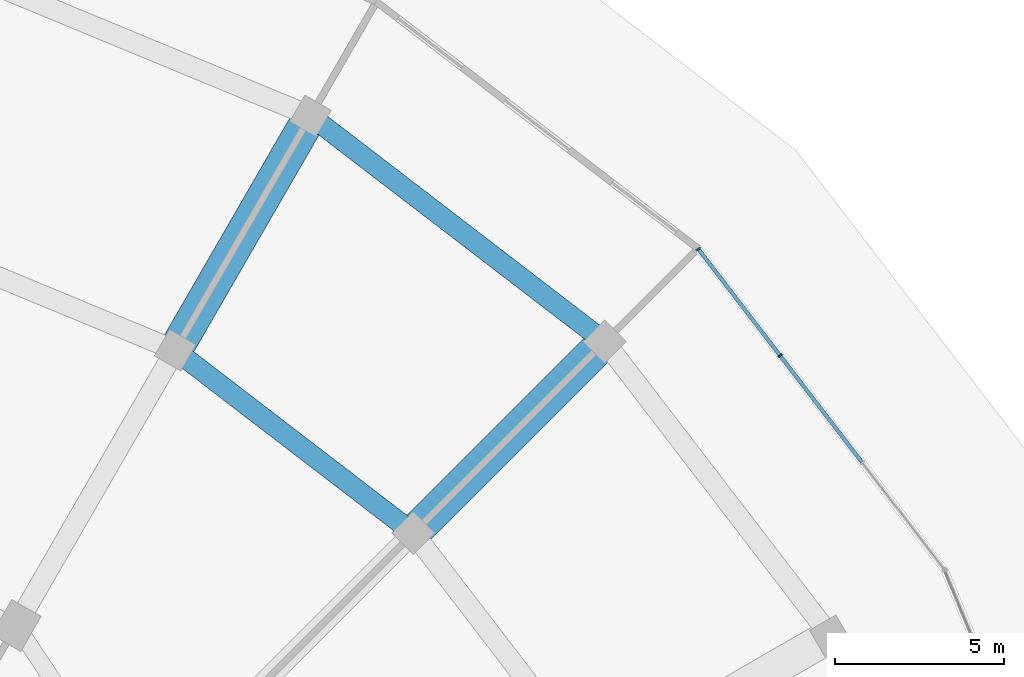
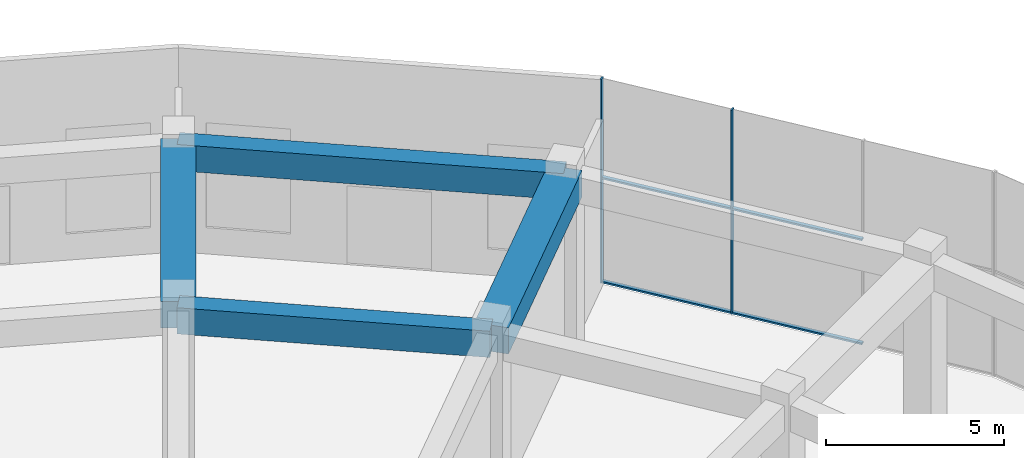
# One storey, part 19 of 31: 6 members, 4 beams, 1 element without a shape of its own.
"""IFC4 building model written with IfcOpenShell, lengths in metres."""

import ifcopenshell
import ifcopenshell.guid

model = None  # the IFC model being written
_history = None  # IfcOwnerHistory: only IFC2X3 demands one
_inside = {}  # id of a spatial element -> (the spatial element, [elements in it])
_under = {}  # id of a project, library or spatial element -> (it, [spatial elements below it])
_declared = {}  # id of a project -> (the project, [libraries it declares])
_typed = {}  # id of a type object -> (the type object, [elements of that type])
_made_of = {}  # id of a material, layer set ... -> (it, [elements and type objects made of it])


def new_model(schema):
    """Start an empty IFC model of exactly this schema.

    Asked for "IFC4X3", IfcOpenShell would pick the latest addendum, in which some entities
    have other attributes; the version numbers below select the first issue.
    IFC2X3 requires an IfcOwnerHistory on every rooted entity: one is made here for all.
    """
    global model, _history
    if schema == "IFC4X3":
        model = ifcopenshell.file(schema_version=(4, 3, 0, 0))
    else:
        model = ifcopenshell.file(schema=schema)
    _inside.clear()
    _under.clear()
    _declared.clear()
    _typed.clear()
    _made_of.clear()
    _history = None
    if model.schema == "IFC2X3":
        org = make("IfcOrganization", Name="unknown")
        user = make(
            "IfcPersonAndOrganization",
            ThePerson=make("IfcPerson", FamilyName="unknown"),
            TheOrganization=org,
        )
        app = make(
            "IfcApplication",
            ApplicationDeveloper=org,
            Version="unknown",
            ApplicationFullName="unknown",
            ApplicationIdentifier="unknown",
        )
        _history = make(
            "IfcOwnerHistory",
            OwningUser=user,
            OwningApplication=app,
            ChangeAction="ADDED",
            CreationDate=0,
        )
    return model


def make(cls, **values):
    """One entity of the class cls with the attributes given. An attribute that is None is left unset."""
    return model.create_entity(
        cls, **{name: value for name, value in values.items() if value is not None}
    )


def rooted(cls, **values):
    """An entity with a GlobalId (a new one), such as an element, a storey or a relation."""
    return make(cls, GlobalId=ifcopenshell.guid.new(), OwnerHistory=_history, **values)


def si_unit(unit_type, name, prefix=None):
    """IfcSIUnit, for example si_unit("LENGTHUNIT", "METRE", prefix="MILLI")."""
    return make("IfcSIUnit", UnitType=unit_type, Prefix=prefix, Name=name)


def assignment(units):
    """IfcUnitAssignment: the units of a project."""
    return None if units is None else make("IfcUnitAssignment", Units=units)


def point(xyz):
    """IfcCartesianPoint."""
    return None if xyz is None else make("IfcCartesianPoint", Coordinates=xyz)


def direction(xyz):
    """IfcDirection."""
    return None if xyz is None else make("IfcDirection", DirectionRatios=xyz)


def frame(location, z_axis=None, x_axis=None):
    """IfcAxis2Placement3D, a coordinate frame: its origin and axes. An axis left out is left unset."""
    return make(
        "IfcAxis2Placement3D",
        Location=point(location),
        Axis=direction(z_axis),
        RefDirection=direction(x_axis),
    )


def frame_2d(location, x_axis=None):
    """IfcAxis2Placement2D, a coordinate frame in the plane: its origin and x axis."""
    return make(
        "IfcAxis2Placement2D", Location=point(location), RefDirection=direction(x_axis)
    )


def origin():
    """The frame at (0, 0, 0) with its axes left unset."""
    return frame((0.0, 0.0, 0.0))


def origin_2d():
    """The frame at (0, 0) in the plane with its x axis left unset."""
    return frame_2d((0.0, 0.0))


def place(relative_to, where):
    """IfcLocalPlacement: puts the frame where relative to a parent placement (None: the world)."""
    return make(
        "IfcLocalPlacement", PlacementRelTo=relative_to, RelativePlacement=where
    )


def context(
    kind, dimensions, precision=None, world=None, true_north=None, identifier=None
):
    """IfcGeometricRepresentationContext, for example the 3D "Model" context."""
    return make(
        "IfcGeometricRepresentationContext",
        ContextIdentifier=identifier,
        ContextType=kind,
        CoordinateSpaceDimension=dimensions,
        Precision=precision,
        WorldCoordinateSystem=world,
        TrueNorth=true_north,
    )


def subcontext(parent, identifier, kind, view, scale=None):
    """IfcGeometricRepresentationSubContext, for example "Body" below "Model"."""
    return make(
        "IfcGeometricRepresentationSubContext",
        ContextIdentifier=identifier,
        ContextType=kind,
        ParentContext=parent,
        TargetScale=scale,
        TargetView=view,
    )


def project(units=None, contexts=None):
    """IfcProject with its units and contexts."""
    return rooted(
        "IfcProject",
        Name="project",
        RepresentationContexts=contexts,
        UnitsInContext=assignment(units),
    )


def spatial(cls, under=None, at=None, **own):
    """A site, building, storey or space (cls), placed at a placement, below another one or the project."""
    s = rooted(cls, ObjectPlacement=at, **own)
    if under is not None:
        _under.setdefault(under.id(), (under, []))[1].append(s)
    return s


def profile(cls, at=None, kind="AREA", **sizes):
    """A parametric profile (cls). Its sizes go by their IFC names, for example OverallWidth=200.0."""
    return make(cls, ProfileType=kind, Position=at, **sizes)


def rectangle(**sizes):
    """IfcRectangleProfileDef."""
    return profile("IfcRectangleProfileDef", **sizes)


def extrude(swept, where, along, depth):
    """IfcExtrudedAreaSolid: the profile swept, set in the frame where, extruded along a direction by depth."""
    return make(
        "IfcExtrudedAreaSolid",
        SweptArea=swept,
        Position=where,
        ExtrudedDirection=direction(along),
        Depth=depth,
    )


def shape(context_of_items, identifier, shape_type, items):
    """IfcShapeRepresentation: the items that make up one representation, for example the "Body"."""
    return make(
        "IfcShapeRepresentation",
        ContextOfItems=context_of_items,
        RepresentationIdentifier=identifier,
        RepresentationType=shape_type,
        Items=items,
    )


def material(Name=None, Category=None):
    """IfcMaterial."""
    return make("IfcMaterial", Name=Name, Category=Category)


def layer(
    of_material, thickness, ventilated=None, Name=None, Category=None, Priority=None
):
    """IfcMaterialLayer: one layer of a wall or slab, of a material (None: an air gap)."""
    return make(
        "IfcMaterialLayer",
        Material=of_material,
        LayerThickness=thickness,
        IsVentilated=ventilated,
        Name=Name,
        Category=Category,
        Priority=Priority,
    )


def layer_set(layers, Name=None):
    """IfcMaterialLayerSet."""
    return make("IfcMaterialLayerSet", MaterialLayers=layers, LayerSetName=Name)


def material_profile(
    of_material, cross_section, Name=None, Category=None, Priority=None
):
    """IfcMaterialProfile: a cross section and its material."""
    return make(
        "IfcMaterialProfile",
        Name=Name,
        Material=of_material,
        Profile=cross_section,
        Priority=Priority,
        Category=Category,
    )


def profile_set(profiles, Name=None, composite=None):
    """IfcMaterialProfileSet."""
    return make(
        "IfcMaterialProfileSet",
        Name=Name,
        MaterialProfiles=profiles,
        CompositeProfile=composite,
    )


def made_of(thing, what):
    """Note that an element or type object is made of a material, layer set ...; save() writes the relation."""
    if what is not None:
        _made_of.setdefault(what.id(), (what, []))[1].append(thing)
    return thing


def type_object(cls, material=None, **own):
    """A type object (cls), such as IfcWallType, which elements share."""
    return made_of(rooted(cls, **own), material)


def element(
    cls,
    number,
    at=None,
    inside=None,
    cuts=None,
    type_object=None,
    material=None,
    context=None,
    identifier="Body",
    shape_type=None,
    held_by="IfcProductDefinitionShape",
    body=None,
    shapes=None,
    **own,
):
    """One element of the class cls, such as IfcWall. Its Tag is "e" and its number.

    at: its placement. inside: the storey or other place that contains it. cuts: it is an
    opening in that element (IfcRelVoidsElement). A single representation is given by context,
    identifier, shape_type and body (its items); several are given by shapes. held_by: the class
    of the entity that holds the representations. save() writes the other relations.
    """
    e = rooted(cls, Tag="e%d" % number, ObjectPlacement=at, **own)
    if body is not None:
        shapes = [shape(context, identifier, shape_type, body)]
    if shapes is not None:
        e.Representation = make(held_by, Representations=shapes)
    if inside is not None:
        _inside.setdefault(inside.id(), (inside, []))[1].append(e)
    if cuts is not None:
        rooted(
            "IfcRelVoidsElement", RelatingBuildingElement=cuts, RelatedOpeningElement=e
        )
    if type_object is not None:
        _typed.setdefault(type_object.id(), (type_object, []))[1].append(e)
    return made_of(e, material)


def aggregate(whole, parts):
    """IfcRelAggregates: a whole, such as a stair, and the parts it consists of."""
    return rooted("IfcRelAggregates", RelatingObject=whole, RelatedObjects=parts)


def save(model, path):
    """Write the relations noted so far, then the file.

    IfcRelAggregates (storeys below a building ...), IfcRelContainedInSpatialStructure (elements
    in a storey), IfcRelDefinesByType, IfcRelAssociatesMaterial and IfcRelDeclares: one each for
    every whole, place, type object, material and project.
    """
    for whole, parts in _under.values():
        aggregate(whole, parts)
    for where, things in _inside.values():
        rooted(
            "IfcRelContainedInSpatialStructure",
            RelatedElements=things,
            RelatingStructure=where,
        )
    for kind, things in _typed.values():
        rooted("IfcRelDefinesByType", RelatedObjects=things, RelatingType=kind)
    for what, things in _made_of.values():
        rooted("IfcRelAssociatesMaterial", RelatedObjects=things, RelatingMaterial=what)
    for by, libraries in _declared.values():
        rooted("IfcRelDeclares", RelatingContext=by, RelatedDefinitions=libraries)
    model.write(path)


model = new_model("IFC4")

# Units and contexts
model_context = context("Model", 3, precision=1e-05, world=origin(), true_north=direction((0.0, 1.0)))
body_context = subcontext(model_context, "Body", "Model", "MODEL_VIEW")
ifc_project = project(units=[si_unit("LENGTHUNIT", "METRE"), si_unit("AREAUNIT", "SQUARE_METRE"), si_unit("VOLUMEUNIT", "CUBIC_METRE"), si_unit("PLANEANGLEUNIT", "RADIAN"), si_unit("MASSUNIT", "GRAM", prefix="KILO")], contexts=[model_context])

# Site, building, storey
site_placement = place(None, origin())
site = spatial("IfcSite", under=ifc_project, at=site_placement, CompositionType="ELEMENT")
building_placement = place(site_placement, origin())
building = spatial("IfcBuilding", under=site, at=building_placement, Name="Torre Brocal", CompositionType="ELEMENT")
storey_placement = place(building_placement, origin())
storey = spatial("IfcBuildingStorey", under=building, at=storey_placement, Name="L00", CompositionType="ELEMENT", Elevation=0.0)

# Curtain wall, members
ifc_material_1 = material(Name="Aluminium and glass", Category="aluminium")
ifc_layer = layer(ifc_material_1, 0.199951171875)
ifc_layer_set = layer_set([ifc_layer], Name="Aluminium and glass")
curtain_wall_type = type_object("IfcCurtainWallType", Name="CW-3 CURTAIN WALL 7000 HIGH", PredefinedType="NOTDEFINED", material=ifc_layer_set)
curtain_wall_placement = place(storey_placement, origin())
curtain_wall = element("IfcCurtainWall", 1, at=curtain_wall_placement, inside=storey, type_object=curtain_wall_type, Name="CW-3 RUN 3", PredefinedType="NOTDEFINED")
ifc_material_2 = material(Name="Aluminium, dark anodised", Category="aluminium")
ifc_material_profile_1 = material_profile(ifc_material_2, rectangle(XDim=0.14990234375, YDim=0.050048828125, at=origin_2d()), Name="CW-3 MULLION 50X150")
ifc_profile_set_1 = profile_set([ifc_material_profile_1], Name="Aluminium, dark anodised")
member_type_1 = type_object("IfcMemberType", Name="CW-3 MULLION 50X150", PredefinedType="MULLION", material=ifc_profile_set_1)
member_1_placement = place(storey_placement, frame((114.886962890625, 104.286865234375, 0.0), z_axis=(0.0, 0.0, 1.0), x_axis=(-0.793353340291, -0.608761429009, 0.0)))
member_1 = element("IfcMember", 2, at=member_1_placement, type_object=member_type_1, Name="CW3-1 mullion 3", PredefinedType="MULLION", context=body_context, shape_type="SweptSolid", body=[
    extrude(rectangle(XDim=0.14990234375, YDim=0.050048828125, at=origin_2d()), origin(), (0.0, 0.0, 1.0), 7.0),
])
member_2_placement = place(storey_placement, frame((112.470703125, 107.435791015625, 0.0), z_axis=(0.0, 0.0, 1.0), x_axis=(-0.793353340291, -0.608761429009, 0.0)))
member_2 = element("IfcMember", 3, at=member_2_placement, type_object=member_type_1, Name="CW3-1 mullion 4", PredefinedType="MULLION", context=body_context, shape_type="SweptSolid", body=[
    extrude(rectangle(XDim=0.14990234375, YDim=0.050048828125, at=origin_2d()), origin(), (0.0, 0.0, 1.0), 7.0),
])
ifc_material_3 = material(Name="Aluminium, dark anodised", Category="aluminium")
ifc_material_profile_2 = material_profile(ifc_material_3, rectangle(XDim=0.1201171875, YDim=0.06005859375, at=origin_2d()), Name="CW-3 TRANSOM 120X60")
ifc_profile_set_2 = profile_set([ifc_material_profile_2], Name="Aluminium, dark anodised")
member_type_2 = type_object("IfcMemberType", Name="CW-3 TRANSOM 120X60", PredefinedType="USERDEFINED", material=ifc_profile_set_2)
member_3_placement = place(storey_placement, frame((117.30322265625, 101.13818359375, 0.030029296875), z_axis=(-0.608797947539, 0.793325317302, 0.0), x_axis=(-0.793325317302, -0.608797947539, 0.0)))
member_3 = element("IfcMember", 4, at=member_3_placement, type_object=member_type_2, Name="CW3-1 transom 2.1", ObjectType="TRANSOM", PredefinedType="USERDEFINED", context=body_context, shape_type="SweptSolid", body=[
    extrude(rectangle(XDim=0.1201171875, YDim=0.06005859375, at=origin_2d()), origin(), (0.0, 0.0, 1.0), 3.944091796875),
])
member_4_placement = place(storey_placement, frame((117.30322265625, 101.13818359375, 3.60009765625), z_axis=(-0.608797947539, 0.793325317302, 0.0), x_axis=(-0.793325317302, -0.608797947539, 0.0)))
member_4 = element("IfcMember", 5, at=member_4_placement, type_object=member_type_2, Name="CW3-1 transom 2.2", ObjectType="TRANSOM", PredefinedType="USERDEFINED", context=body_context, shape_type="SweptSolid", body=[
    extrude(rectangle(XDim=0.1201171875, YDim=0.06005859375, at=origin_2d()), origin(), (0.0, 0.0, 1.0), 3.944091796875),
])
member_5_placement = place(storey_placement, frame((114.871826171875, 104.306640625, 0.030029296875), z_axis=(-0.60873490351, 0.793373693318, 0.0), x_axis=(-0.793373693318, -0.60873490351, 0.0)))
member_5 = element("IfcMember", 6, at=member_5_placement, type_object=member_type_2, Name="CW3-1 transom 3.1", ObjectType="TRANSOM", PredefinedType="USERDEFINED", context=body_context, shape_type="SweptSolid", body=[
    extrude(rectangle(XDim=0.1201171875, YDim=0.06005859375, at=origin_2d()), origin(), (0.0, 0.0, 1.0), 3.919189453125),
])
member_6_placement = place(storey_placement, frame((114.871826171875, 104.306640625, 3.60009765625), z_axis=(-0.60873490351, 0.793373693318, 0.0), x_axis=(-0.793373693318, -0.60873490351, 0.0)))
member_6 = element("IfcMember", 7, at=member_6_placement, type_object=member_type_2, Name="CW3-1 transom 3.2", ObjectType="TRANSOM", PredefinedType="USERDEFINED", context=body_context, shape_type="SweptSolid", body=[
    extrude(rectangle(XDim=0.1201171875, YDim=0.06005859375, at=origin_2d()), origin(), (0.0, 0.0, 1.0), 3.919189453125),
])
aggregate(curtain_wall, [member_1, member_2, member_3, member_4, member_5, member_6])

# Beams
ifc_material_4 = material(Name="Concrete C50", Category="concrete")
ifc_material_profile_3 = material_profile(ifc_material_4, rectangle(XDim=0.60009765625, YDim=0.89990234375, at=origin_2d()), Name="RC 600X900")
ifc_profile_set_3 = profile_set([ifc_material_profile_3], Name="Concrete C50")
beam_type_1 = type_object("IfcBeamType", Name="RC BEAM 600X900 C50 TOP 6550", PredefinedType="BEAM", material=ifc_profile_set_3)
beam_1_placement = place(storey_placement, frame((109.698486328125, 104.698486328125, 6.10009765625), z_axis=(-0.793354343168, 0.608760122032, 0.0), x_axis=(-0.608760122032, -0.793354343168, 0.0)))
element("IfcBeam", 8, at=beam_1_placement, inside=storey, type_object=beam_type_1, Name="Beam BT-07", PredefinedType="BEAM", context=body_context, shape_type="SweptSolid", body=[
    extrude(rectangle(XDim=0.60009765625, YDim=0.89990234375, at=origin_2d()), origin(), (0.0, 0.0, 1.0), 10.964111328125),
])
beam_2_placement = place(storey_placement, frame((104.041748046875, 99.041748046875, 6.10009765625), z_axis=(-0.793366788253, 0.608743902882, 0.0), x_axis=(-0.608743902882, -0.793366788253, 0.0)))
element("IfcBeam", 9, at=beam_2_placement, inside=storey, type_object=beam_type_1, Name="Beam BT-07", PredefinedType="BEAM", context=body_context, shape_type="SweptSolid", body=[
    extrude(rectangle(XDim=0.60009765625, YDim=0.89990234375, at=origin_2d()), origin(), (0.0, 0.0, 1.0), 8.875732421875),
])
ifc_material_5 = material(Name="Concrete C60", Category="concrete")
ifc_material_profile_4 = material_profile(ifc_material_5, rectangle(XDim=1.0, YDim=0.89990234375, at=origin_2d()), Name="RC 1000X900")
ifc_profile_set_4 = profile_set([ifc_material_profile_4], Name="Concrete C60")
beam_type_2 = type_object("IfcBeamType", Name="RC TRANSFER GIRDER 1000X900 C60 TOP 6550", PredefinedType="BEAM", material=ifc_profile_set_4)
beam_3_placement = place(storey_placement, frame((97.0, 104.44482421875, 6.10009765625), z_axis=(0.49999894854, 0.866026010844, 0.0), x_axis=(-0.866026010844, 0.49999894854, 0.0)))
element("IfcBeam", 10, at=beam_3_placement, inside=storey, type_object=beam_type_2, Name="Beam TG-01", PredefinedType="BEAM", context=body_context, shape_type="SweptSolid", body=[
    extrude(rectangle(XDim=1.0, YDim=0.89990234375, at=origin_2d()), origin(), (0.0, 0.0, 1.0), 8.0),
])
beam_4_placement = place(storey_placement, frame((104.041748046875, 99.041748046875, 6.10009765625), z_axis=(0.707106781187, 0.707106781187, 0.0), x_axis=(-0.707106781187, 0.707106781187, 0.0)))
element("IfcBeam", 11, at=beam_4_placement, inside=storey, type_object=beam_type_2, Name="Beam TG-01", PredefinedType="BEAM", context=body_context, shape_type="SweptSolid", body=[
    extrude(rectangle(XDim=1.0, YDim=0.89990234375, at=origin_2d()), origin(), (0.0, 0.0, 1.0), 7.999755859375),
])

save(model, "model.ifc")
